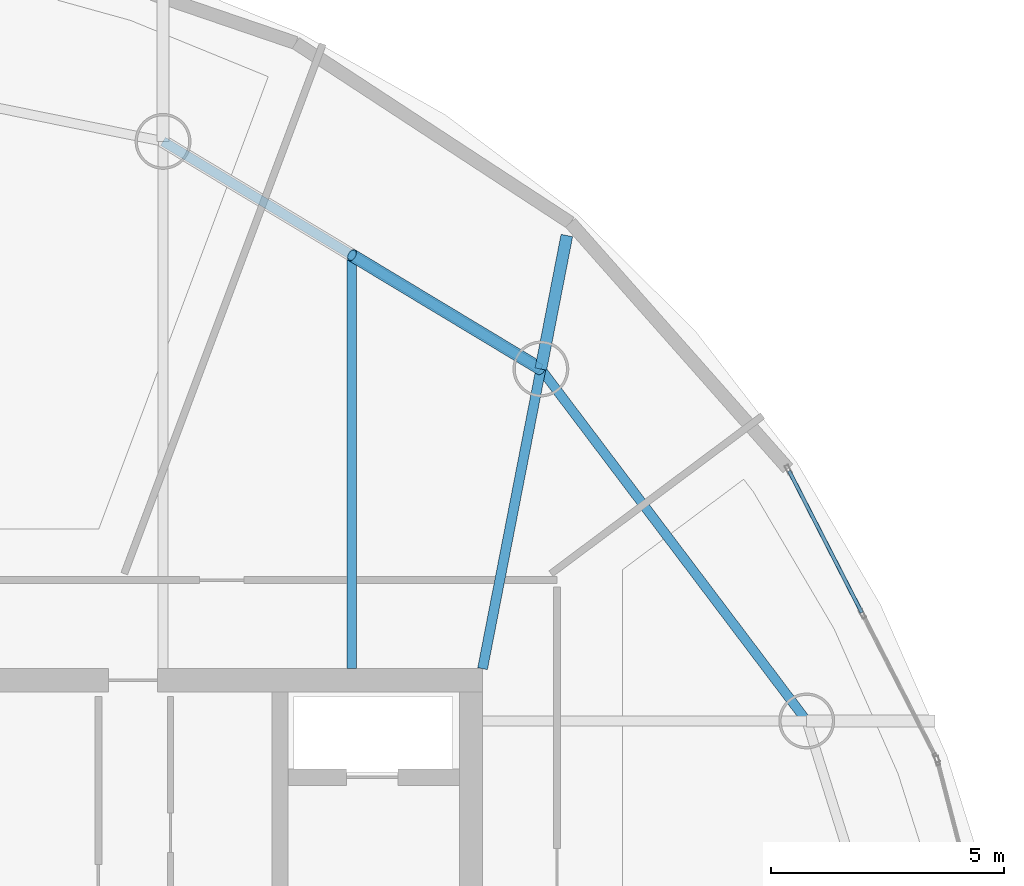
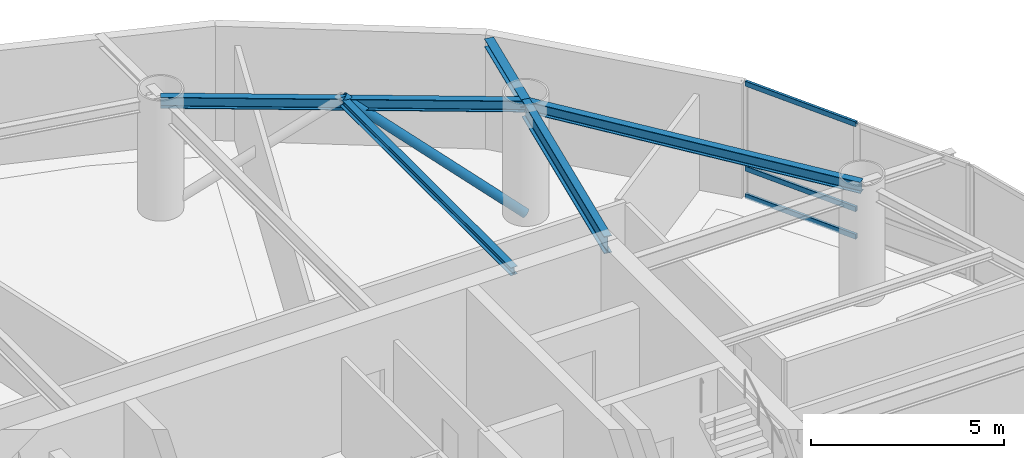
# One storey, part 15 of 23: 5 beams, 4 members, 1 element without a shape of its own.
"""IFC4 building model written with IfcOpenShell, lengths in metres."""

from ifc_helpers import new_model, si_unit, direction, frame, origin, origin_2d, place, context, subcontext, project, spatial, hollow_rectangle, hollow_circle, i_section, extrude, material, layer, layer_set, material_profile, profile_set, type_object, element, aggregate, save


model = new_model("IFC4")

# Units and contexts
model_context = context("Model", 3, precision=1e-05, world=origin(), true_north=direction((0.0, 1.0)))
body_context = subcontext(model_context, "Body", "Model", "MODEL_VIEW")
ifc_project = project(units=[si_unit("LENGTHUNIT", "METRE"), si_unit("AREAUNIT", "SQUARE_METRE"), si_unit("VOLUMEUNIT", "CUBIC_METRE"), si_unit("PLANEANGLEUNIT", "RADIAN"), si_unit("MASSUNIT", "GRAM", prefix="KILO")], contexts=[model_context])

# Site, building, storey
site_placement = place(None, origin())
site = spatial("IfcSite", under=ifc_project, at=site_placement, CompositionType="ELEMENT")
building_placement = place(site_placement, origin())
building = spatial("IfcBuilding", under=site, at=building_placement, Name="Bramvorn Convention Spire", CompositionType="ELEMENT")
storey_placement = place(building_placement, frame((0.0, 0.0, 194.300048828125)))
storey = spatial("IfcBuildingStorey", under=building, at=storey_placement, Name="L49", CompositionType="ELEMENT", Elevation=194.300048828125)

# Beams
ifc_material_1 = material(Name="Steel CSA G40.21 Grade 350 (350W)", Category="steel")
ifc_material_profile_1 = material_profile(ifc_material_1, i_section(OverallWidth=0.201904296875, OverallDepth=0.2470703125, WebThickness=0.00732421875, FlangeThickness=0.010986328125, FilletRadius=0.011962890625, at=origin_2d()))
ifc_profile_set_1 = profile_set([ifc_material_profile_1], Name="Steel CSA G40.21 Grade 350 (350W) - W250X49")
beam_type_1 = type_object("IfcBeamType", Name="BM-W250X49", PredefinedType="JOIST", material=ifc_profile_set_1)
beam_1_placement = place(storey_placement, frame((46.445556640625, 33.449951171875, 3.496337890625), z_axis=(0.0, 1.0, 0.0), x_axis=(-1.0, 0.0, 0.0)))
element("IfcBeam", 1, at=beam_1_placement, inside=storey, type_object=beam_type_1, Name="L49 composite floor joist 05", PredefinedType="JOIST", context=body_context, shape_type="SweptSolid", body=[
    extrude(i_section(OverallWidth=0.201904296875, OverallDepth=0.2470703125, WebThickness=0.00732421875, FlangeThickness=0.010986328125, FilletRadius=0.011962890625, at=origin_2d()), origin(), (0.0, 0.0, 1.0), 8.878662109375),
])
ifc_material_profile_2 = material_profile(ifc_material_1, i_section(OverallWidth=0.25390625, OverallDepth=0.2529296875, WebThickness=0.008544921875, FlangeThickness=0.01416015625, FilletRadius=0.011962890625, at=origin_2d()))
ifc_profile_set_2 = profile_set([ifc_material_profile_2], Name="Steel CSA G40.21 Grade 350 (350W) - W250X73")
beam_type_2 = type_object("IfcBeamType", Name="BM-W250X73", PredefinedType="BEAM", material=ifc_profile_set_2)
beam_2_placement = place(storey_placement, frame((50.501953125, 39.885009765625, 3.493408203125), z_axis=(0.191001660183, 0.981589713581, 0.0), x_axis=(-0.981589713581, 0.191001660183, 0.0)))
element("IfcBeam", 2, at=beam_2_placement, inside=storey, type_object=beam_type_2, Name="L49 slab-edge cantilever tip beam MC05", PredefinedType="BEAM", context=body_context, shape_type="SweptSolid", body=[
    extrude(i_section(OverallWidth=0.25390625, OverallDepth=0.2529296875, WebThickness=0.008544921875, FlangeThickness=0.01416015625, FilletRadius=0.011962890625, at=origin_2d()), origin(), (0.0, 0.0, 1.0), 2.920654296875),
])
ifc_material_profile_3 = material_profile(ifc_material_1, i_section(OverallWidth=0.205078125, OverallDepth=0.35400390625, WebThickness=0.009521484375, FlangeThickness=0.016845703125, FilletRadius=0.014892578125, at=origin_2d()))
ifc_profile_set_3 = profile_set([ifc_material_profile_3], Name="Steel CSA G40.21 Grade 350 (350W) - W360X79")
beam_type_3 = type_object("IfcBeamType", Name="BM-W360X79", PredefinedType="JOIST", material=ifc_profile_set_3)
for number, where, z_axis, x_axis, name in (
    (3, (56.21044921875, 32.327392578125, 3.44287109375), (-0.602718581414, 0.797953827999, 0.0), (-0.797953827999, -0.602718581414, 0.0), "L49 mega-column ring beam 04"),
    (4, (50.501953125, 39.885009765625, 3.44287109375), (-0.856581795745, 0.516011266543, 0.0), (-0.516011266543, -0.856581795745, 0.0), "L49 mega-column ring beam 05"),
):
    element("IfcBeam", number, at=place(storey_placement, frame(where, z_axis=z_axis, x_axis=x_axis)), inside=storey, type_object=beam_type_3, Name=name, PredefinedType="JOIST", context=body_context, shape_type="SweptSolid", body=[
        extrude(i_section(OverallWidth=0.205078125, OverallDepth=0.35400390625, WebThickness=0.009521484375, FlangeThickness=0.016845703125, FilletRadius=0.014892578125, at=origin_2d()), origin(), (0.0, 0.0, 1.0), 9.47119140625),
    ])
ifc_material_profile_4 = material_profile(ifc_material_1, i_section(OverallWidth=0.2119140625, OverallDepth=0.5439453125, WebThickness=0.01318359375, FlangeThickness=0.021240234375, FilletRadius=0.01904296875, at=origin_2d()))
ifc_profile_set_4 = profile_set([ifc_material_profile_4], Name="Steel CSA G40.21 Grade 350 (350W) - W530X123")
beam_type_4 = type_object("IfcBeamType", Name="BM-W530X123", PredefinedType="BEAM", material=ifc_profile_set_4)
beam_3_placement = place(storey_placement, frame((49.25, 33.449951171875, 3.347900390625), z_axis=(0.190971329886, 0.981595614885, 0.0), x_axis=(-0.981595614885, 0.190971329886, 0.0)))
element("IfcBeam", 5, at=beam_3_placement, inside=storey, type_object=beam_type_4, Name="L49 radial floor girder MC05", PredefinedType="BEAM", context=body_context, shape_type="SweptSolid", body=[
    extrude(i_section(OverallWidth=0.2119140625, OverallDepth=0.5439453125, WebThickness=0.01318359375, FlangeThickness=0.021240234375, FilletRadius=0.01904296875, at=origin_2d()), origin(), (0.0, 0.0, 1.0), 6.5556640625),
])

# Curtain wall, members
ifc_material_2 = material(Name="Anodised Bronze Unitised Curtain Wall", Category="aluminium")
ifc_layer = layer(ifc_material_2, 0.179931640625)
ifc_layer_set = layer_set([ifc_layer], Name="Anodised Bronze Unitised Curtain Wall - CW-OFF-FRIT")
curtain_wall_type = type_object("IfcCurtainWallType", Name="CW-OFF-FRIT", PredefinedType="USERDEFINED", material=ifc_layer_set)
curtain_wall_placement = place(storey_placement, origin())
curtain_wall = element("IfcCurtainWall", 6, at=curtain_wall_placement, inside=storey, type_object=curtain_wall_type, Name="L49 fritted glass curtain wall 05", ObjectType="UNITISED CURTAIN WALL", PredefinedType="USERDEFINED")
ifc_material_3 = material(Name="Anodised Bronze Aluminium 6063-T6", Category="aluminium")
ifc_material_profile_5 = material_profile(ifc_material_3, hollow_rectangle(XDim=0.080078125, YDim=0.159912109375, WallThickness=0.00390625, InnerFilletRadius=0.0009765625, OuterFilletRadius=0.00390625, at=origin_2d()))
ifc_profile_set_5 = profile_set([ifc_material_profile_5], Name="Anodised Bronze Aluminium 6063-T6 - CWT80X160")
member_type_1 = type_object("IfcMemberType", Name="CW-TRN-150", PredefinedType="USERDEFINED", material=ifc_profile_set_5)
member_1_placement = place(storey_placement, frame((55.83203125, 37.69580078125, 0.030029296875), z_axis=(0.456473221702, -0.889737151, 0.0), x_axis=(0.889737151, 0.456473221702, 0.0)))
member_1 = element("IfcMember", 7, at=member_1_placement, type_object=member_type_1, Name="CW3 transom 1.1", ObjectType="TRANSOM", PredefinedType="USERDEFINED", context=body_context, shape_type="SweptSolid", body=[
    extrude(hollow_rectangle(XDim=0.080078125, YDim=0.159912109375, WallThickness=0.00390625, InnerFilletRadius=0.0009765625, OuterFilletRadius=0.00390625, at=origin_2d()), origin(), (0.0, 0.0, 1.0), 3.418701171875),
])
member_2_placement = place(storey_placement, frame((55.83203125, 37.69580078125, 0.89990234375), z_axis=(0.456473221702, -0.889737151, 0.0), x_axis=(0.889737151, 0.456473221702, 0.0)))
member_2 = element("IfcMember", 8, at=member_2_placement, type_object=member_type_1, Name="CW3 transom 1.2", ObjectType="TRANSOM", PredefinedType="USERDEFINED", context=body_context, shape_type="SweptSolid", body=[
    extrude(hollow_rectangle(XDim=0.080078125, YDim=0.159912109375, WallThickness=0.00390625, InnerFilletRadius=0.0009765625, OuterFilletRadius=0.00390625, at=origin_2d()), origin(), (0.0, 0.0, 1.0), 3.418701171875),
])
member_3_placement = place(storey_placement, frame((55.83203125, 37.69580078125, 3.58984375), z_axis=(0.456473221702, -0.889737151, 0.0), x_axis=(0.889737151, 0.456473221702, 0.0)))
member_3 = element("IfcMember", 9, at=member_3_placement, type_object=member_type_1, Name="CW3 transom 1.3", ObjectType="TRANSOM", PredefinedType="USERDEFINED", context=body_context, shape_type="SweptSolid", body=[
    extrude(hollow_rectangle(XDim=0.080078125, YDim=0.159912109375, WallThickness=0.00390625, InnerFilletRadius=0.0009765625, OuterFilletRadius=0.00390625, at=origin_2d()), origin(), (0.0, 0.0, 1.0), 3.418701171875),
])
aggregate(curtain_wall, [member_1, member_2, member_3])

# Member
ifc_material_profile_6 = material_profile(ifc_material_1, hollow_circle(Radius=0.136474609375, WallThickness=0.0126953125, at=origin_2d()))
ifc_profile_set_6 = profile_set([ifc_material_profile_6], Name="Steel CSA G40.21 Grade 350 (350W) - CHS273X13")
member_type_2 = type_object("IfcMemberType", Name="MBR-CHS273X13", PredefinedType="BRACE", material=ifc_profile_set_6)
member_4_placement = place(storey_placement, frame((50.501953125, 39.885009765625, 0.0), z_axis=(-0.680532253799, 0.409957708593, 0.607297726577), x_axis=(-0.516011266543, -0.856581795745, 0.0)))
element("IfcMember", 10, at=member_4_placement, inside=storey, type_object=member_type_2, Name="L49 perimeter Gothic lancet brace 5A", PredefinedType="BRACE", context=body_context, shape_type="SweptSolid", body=[
    extrude(hollow_circle(Radius=0.136474609375, WallThickness=0.0126953125, at=origin_2d()), origin(), (0.0, 0.0, 1.0), 5.960693359375),
])

save(model, "model.ifc")
